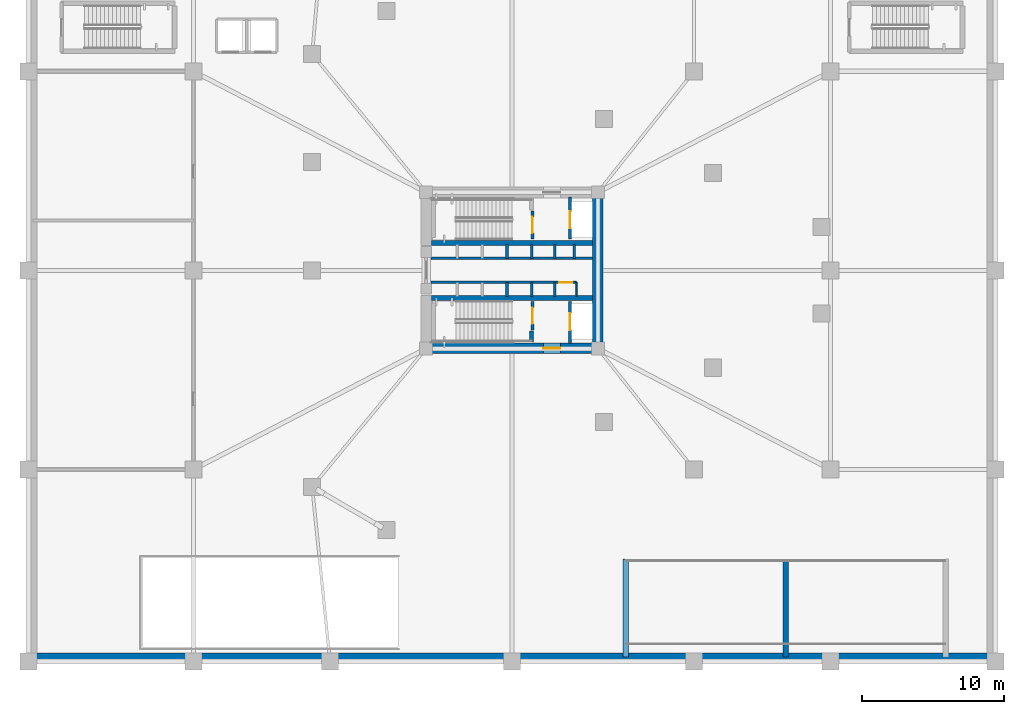
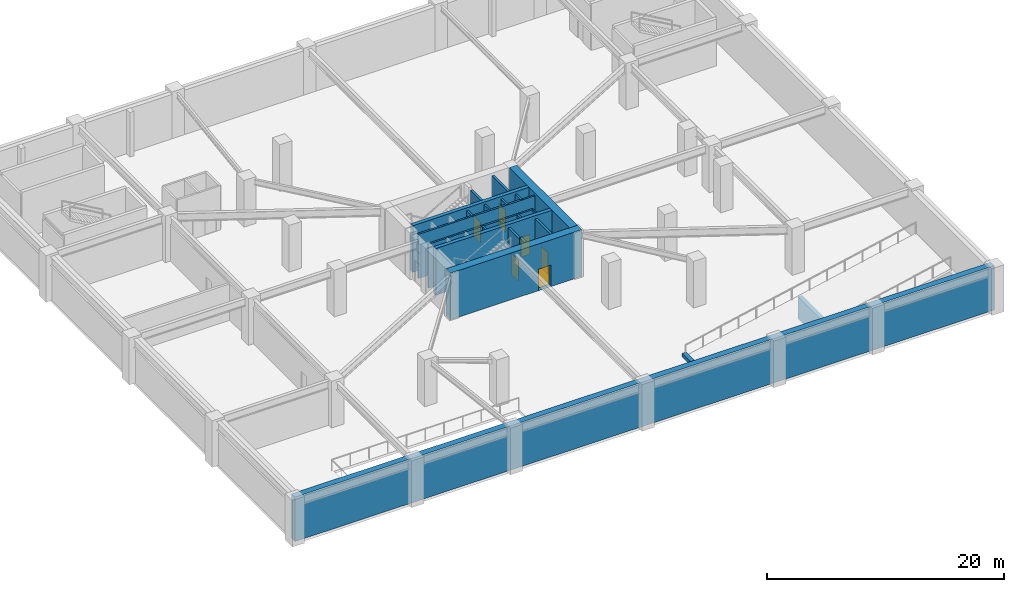
# One storey, part 4 of 13: 22 walls, 6 doors, 6 openings.
"""IFC4 building model written with IfcOpenShell, lengths in metres."""

from ifc_helpers import new_model, si_unit, direction, frame, frame_2d, origin, place, context, subcontext, project, spatial, rectangle, extrude, material, layer, layer_set, type_object, element, fill, save


model = new_model("IFC4")

# Units and contexts
model_context = context("Model", 3, precision=1e-05, world=origin(), true_north=direction((0.0, 1.0)))
body_context = subcontext(model_context, "Body", "Model", "MODEL_VIEW")
ifc_project = project(units=[si_unit("LENGTHUNIT", "METRE"), si_unit("AREAUNIT", "SQUARE_METRE"), si_unit("VOLUMEUNIT", "CUBIC_METRE"), si_unit("PLANEANGLEUNIT", "RADIAN"), si_unit("MASSUNIT", "GRAM", prefix="KILO")], contexts=[model_context])

# Site, building, storey
site_placement = place(None, origin())
site = spatial("IfcSite", under=ifc_project, at=site_placement, CompositionType="ELEMENT")
building_placement = place(site_placement, origin())
building = spatial("IfcBuilding", under=site, at=building_placement, Name="Yunling Apex Tower", CompositionType="ELEMENT")
storey_placement = place(building_placement, frame((0.0, 0.0, -4.800048828125)))
storey = spatial("IfcBuildingStorey", under=building, at=storey_placement, Name="B01", CompositionType="ELEMENT", Elevation=-4.800048828125)

# Wall
ifc_material_1 = material(Name="Concrete C50", Category="concrete")
ifc_layer_1 = layer(ifc_material_1, 0.60009765625)
ifc_layer_set_1 = layer_set([ifc_layer_1], Name="Concrete C50")
wall_type_1 = type_object("IfcWallType", Name="WL-BSM-2", PredefinedType="USERDEFINED", material=ifc_layer_set_1)
wall_1_placement = place(storey_placement, frame((-34.0, -27.199951171875, 0.0), z_axis=(0.0, 0.0, 1.0), x_axis=(1.0, 0.0, 0.0)))
element("IfcWall", 1, at=wall_1_placement, inside=storey, type_object=wall_type_1, Name="B01 South Retaining Wall", ObjectType="RETAININGWALL", PredefinedType="USERDEFINED", context=body_context, shape_type="SweptSolid", body=[
    extrude(rectangle(XDim=68.0, YDim=0.60009765625, at=frame_2d((34.0, 0.0))), origin(), (0.0, 0.0, 1.0), 4.56005859375),
])

# Wall, opening, door
ifc_material_2 = material(Name="Concrete C60", Category="concrete")
ifc_layer_2 = layer(ifc_material_2, 0.75)
ifc_layer_set_2 = layer_set([ifc_layer_2], Name="Concrete C60")
wall_type_2 = type_object("IfcWallType", Name="WL-COR-1", PredefinedType="SHEAR", material=ifc_layer_set_2)
wall_2_placement = place(storey_placement, frame((-6.39990234375, -5.47509765625, 0.0), z_axis=(0.0, 0.0, 1.0), x_axis=(1.0, 0.0, 0.0)))
wall_2 = element("IfcWall", 2, at=wall_2_placement, inside=storey, type_object=wall_type_2, Name="B01 South Core Shear Wall", PredefinedType="SHEAR", context=body_context, shape_type="SweptSolid", body=[
    extrude(rectangle(XDim=12.7998046875, YDim=0.75, at=frame_2d((6.39990234375, 0.0))), origin(), (0.0, 0.0, 1.0), 4.800048828125),
])
opening_1_placement = place(wall_2_placement, frame((8.60009765625, 0.0, 0.0)))
opening_1 = element("IfcOpeningElement", 3, at=opening_1_placement, cuts=wall_2, Name="Opening DR-FFL-1", PredefinedType="OPENING", context=body_context, shape_type="SweptSolid", body=[
    extrude(rectangle(XDim=1.199951171875, YDim=2.199951171875, at=frame_2d((0.60009765625, 1.10009765625))), frame((0.0, 0.385009765625, 0.0), z_axis=(0.0, -1.0, 0.0), x_axis=(1.0, 0.0, 0.0)), (0.0, 0.0, 1.0), 0.77001953125),
])
ifc_material_3 = material(Name="Steel Q355B", Category="steel")
door_type_1 = type_object("IfcDoorType", Name="DR-FFL-1", OperationType="NOTDEFINED", PredefinedType="DOOR", material=ifc_material_3)
door_1_placement = place(opening_1_placement, origin())
door_1 = element("IfcDoor", 4, at=door_1_placement, inside=storey, type_object=door_type_1, Name="B01 South Firefighting Lobby Door", OperationType="SINGLE_SWING_RIGHT", OverallHeight=2.199951171875, OverallWidth=1.199951171875, PredefinedType="DOOR", context=body_context, shape_type="SweptSolid", body=[
    extrude(rectangle(XDim=1.199951171875, YDim=2.199951171875, at=frame_2d((0.60009765625, 1.10009765625))), frame((0.0, 0.02490234375, 0.0), z_axis=(0.0, -1.0, 0.0), x_axis=(1.0, 0.0, 0.0)), (0.0, 0.0, 1.0), 0.050048828125),
])
fill(opening_1, door_1)

# Walls
wall_3_placement = place(storey_placement, frame((6.02490234375, -5.10009765625, 0.0), z_axis=(0.0, 0.0, 1.0), x_axis=(0.0, 1.0, 0.0)))
element("IfcWall", 5, at=wall_3_placement, inside=storey, type_object=wall_type_2, Name="B01 East Core Shear Wall", PredefinedType="SHEAR", context=body_context, shape_type="SweptSolid", body=[
    extrude(rectangle(XDim=10.2001953125, YDim=0.75, at=frame_2d((5.10009765625, 0.0))), origin(), (0.0, 0.0, 1.0), 4.800048828125),
])
ifc_material_4 = material(Name="Concrete C40", Category="concrete")
ifc_layer_3 = layer(ifc_material_4, 0.360107421875)
ifc_layer_set_3 = layer_set([ifc_layer_3], Name="Concrete C40")
wall_type_3 = type_object("IfcWallType", Name="WL-COR-4", PredefinedType="SHEAR", material=ifc_layer_set_3)
for number, where, z_axis, x_axis, name in (
    (6, (-5.64990234375, 1.93994140625, 0.0), (0.0, 0.0, 1.0), (1.0, 0.0, 0.0), "B01 North Internal Core Shear Wall"),
    (7, (-5.64990234375, -1.93994140625, 0.0), (0.0, 0.0, 1.0), (1.0, 0.0, 0.0), "B01 South Internal Core Shear Wall"),
):
    element("IfcWall", number, at=place(storey_placement, frame(where, z_axis=z_axis, x_axis=x_axis)), inside=storey, type_object=wall_type_3, Name=name, PredefinedType="SHEAR", context=body_context, shape_type="SweptSolid", body=[
        extrude(rectangle(XDim=11.2998046875, YDim=0.360107421875, at=frame_2d((5.64990234375, 0.0))), origin(), (0.0, 0.0, 1.0), 4.800048828125),
    ])
ifc_layer_4 = layer(ifc_material_1, 0.39990234375)
ifc_layer_set_4 = layer_set([ifc_layer_4], Name="Concrete C50")
wall_type_4 = type_object("IfcWallType", Name="WL-COR-5", PredefinedType="SHEAR", material=ifc_layer_set_4)
wall_4_placement = place(storey_placement, frame((8.0, -27.199951171875, 0.0), z_axis=(0.0, 0.0, 1.0), x_axis=(0.0, 1.0, 0.0)))
element("IfcWall", 8, at=wall_4_placement, inside=storey, type_object=wall_type_4, Name="B01 Vehicle Ramp Bearing Wall LO", PredefinedType="SHEAR", context=body_context, shape_type="SweptSolid", body=[
    extrude(rectangle(XDim=6.89990234375, YDim=0.39990234375, at=frame_2d((3.449951171875, 0.0))), origin(), (0.0, 0.0, 1.0), 0.35009765625),
])
wall_5_placement = place(storey_placement, frame((19.25, -27.199951171875, 0.0), z_axis=(0.0, 0.0, 1.0), x_axis=(0.0, 1.0, 0.0)))
element("IfcWall", 9, at=wall_5_placement, inside=storey, type_object=wall_type_4, Name="B01 Vehicle Ramp Bearing Wall MID", PredefinedType="SHEAR", context=body_context, shape_type="SweptSolid", body=[
    extrude(rectangle(XDim=6.89990234375, YDim=0.39990234375, at=frame_2d((3.449951171875, 0.0))), origin(), (0.0, 0.0, 1.0), 2.25),
])
ifc_layer_5 = layer(ifc_material_4, 0.280029296875)
ifc_layer_set_5 = layer_set([ifc_layer_5], Name="Concrete C40")
wall_type_5 = type_object("IfcWallType", Name="WL-COR-8", PredefinedType="SHEAR", material=ifc_layer_set_5)
wall_6_placement = place(storey_placement, frame((1.3798828125, -5.050048828125, 0.0), z_axis=(0.0, 0.0, 1.0), x_axis=(0.0, 1.0, 0.0)))
element("IfcWall", 10, at=wall_6_placement, inside=storey, type_object=wall_type_5, Name="B01 ST-2 East Landing Bearing Pier", PredefinedType="SHEAR", context=body_context, shape_type="SweptSolid", body=[
    extrude(rectangle(XDim=0.800048828125, YDim=0.280029296875, at=frame_2d((0.39990234375, 0.0))), origin(), (0.0, 0.0, 1.0), 4.800048828125),
])
ifc_material_5 = material(Name="Gypsum board acoustic partition")
ifc_layer_6 = layer(ifc_material_5, 0.10009765625)
ifc_layer_set_6 = layer_set([ifc_layer_6], Name="Gypsum board acoustic partition")
wall_type_6 = type_object("IfcWallType", Name="WL-PRT-4", PredefinedType="PARTITIONING", material=ifc_layer_set_6)
wall_7_placement = place(storey_placement, frame((4.5400390625, -1.820068359375, 0.0), z_axis=(0.0, 0.0, 1.0), x_axis=(0.0, 1.0, 0.0)))
element("IfcWall", 11, at=wall_7_placement, inside=storey, type_object=wall_type_6, Name="WL-KASE-E-B01", PredefinedType="PARTITIONING", context=body_context, shape_type="SweptSolid", body=[
    extrude(rectangle(XDim=0.97998046875, YDim=0.10009765625, at=frame_2d((0.489990234375, 0.0))), origin(), (0.0, 0.0, 1.0), 4.5400390625),
])

# Wall, opening, door
ifc_material_6 = material(Name="Autoclaved aerated concrete masonry", Category="masonry")
ifc_layer_7 = layer(ifc_material_6, 0.219970703125)
ifc_layer_set_7 = layer_set([ifc_layer_7], Name="Autoclaved aerated concrete masonry")
wall_type_7 = type_object("IfcWallType", Name="WL-SHF-1", PredefinedType="PLUMBINGWALL", material=ifc_layer_set_7)
wall_8_placement = place(storey_placement, frame((1.449951171875, 2.199951171875, 0.0), z_axis=(0.0, 0.0, 1.0), x_axis=(0.0, 1.0, 0.0)))
wall_8 = element("IfcWall", 12, at=wall_8_placement, inside=storey, type_object=wall_type_7, Name="WL-ST1-E-B01", PredefinedType="PLUMBINGWALL", context=body_context, shape_type="SweptSolid", body=[
    extrude(rectangle(XDim=1.97998046875, YDim=0.219970703125, at=frame_2d((0.989990234375, 0.0))), origin(), (0.0, 0.0, 1.0), 4.5400390625),
])
opening_2_placement = place(wall_8_placement, frame((0.419921875, 0.0, 0.0)))
opening_2 = element("IfcOpeningElement", 13, at=opening_2_placement, cuts=wall_8, Name="Opening DR-ST-1", PredefinedType="OPENING", context=body_context, shape_type="SweptSolid", body=[
    extrude(rectangle(XDim=1.14990234375, YDim=2.14990234375, at=frame_2d((0.574951171875, 1.074951171875))), frame((0.0, 0.1201171875, 0.0), z_axis=(0.0, -1.0, 0.0), x_axis=(1.0, 0.0, 0.0)), (0.0, 0.0, 1.0), 0.239990234375),
])
door_type_2 = type_object("IfcDoorType", Name="DR-ST-1", OperationType="NOTDEFINED", PredefinedType="DOOR", material=ifc_material_3)
door_2_placement = place(opening_2_placement, origin())
door_2 = element("IfcDoor", 14, at=door_2_placement, inside=storey, type_object=door_type_2, Name="B01 Stair ST-1 Fire Door", OperationType="SINGLE_SWING_LEFT", OverallHeight=2.14990234375, OverallWidth=1.14990234375, PredefinedType="DOOR", context=body_context, shape_type="SweptSolid", body=[
    extrude(rectangle(XDim=1.14990234375, YDim=2.14990234375, at=frame_2d((0.574951171875, 1.074951171875))), frame((0.0, 0.02490234375, 0.0), z_axis=(0.0, -1.0, 0.0), x_axis=(1.0, 0.0, 0.0)), (0.0, 0.0, 1.0), 0.050048828125),
])
fill(opening_2, door_2)

wall_9_placement = place(storey_placement, frame((4.080078125, 2.199951171875, 0.0), z_axis=(0.0, 0.0, 1.0), x_axis=(0.0, 1.0, 0.0)))
wall_9 = element("IfcWall", 15, at=wall_9_placement, inside=storey, type_object=wall_type_7, Name="WL-FFL1-W-B01", PredefinedType="PLUMBINGWALL", context=body_context, shape_type="SweptSolid", body=[
    extrude(rectangle(XDim=2.949951171875, YDim=0.219970703125, at=frame_2d((1.47509765625, 0.0))), origin(), (0.0, 0.0, 1.0), 4.5400390625),
])
opening_3_placement = place(wall_9_placement, frame((0.75, 0.0, 0.0)))
opening_3 = element("IfcOpeningElement", 16, at=opening_3_placement, cuts=wall_9, Name="Opening LD-FFL-1", PredefinedType="OPENING", context=body_context, shape_type="SweptSolid", body=[
    extrude(rectangle(XDim=1.199951171875, YDim=2.25, at=frame_2d((0.60009765625, 1.125))), frame((0.0, 0.1201171875, 0.0), z_axis=(0.0, -1.0, 0.0), x_axis=(1.0, 0.0, 0.0)), (0.0, 0.0, 1.0), 0.239990234375),
])
door_type_3 = type_object("IfcDoorType", Name="LD-FFL-1", OperationType="DOUBLE_DOOR_SLIDING", PredefinedType="DOOR", material=ifc_material_3)
door_3_placement = place(opening_3_placement, origin())
door_3 = element("IfcDoor", 17, at=door_3_placement, inside=storey, type_object=door_type_3, Name="B01 Lift FFL-1 Landing Door", OperationType="DOUBLE_DOOR_SLIDING", OverallHeight=2.25, OverallWidth=1.199951171875, PredefinedType="DOOR", context=body_context, shape_type="SweptSolid", body=[
    extrude(rectangle(XDim=1.199951171875, YDim=2.25, at=frame_2d((0.60009765625, 1.125))), frame((0.0, 0.02490234375, 0.0), z_axis=(0.0, -1.0, 0.0), x_axis=(1.0, 0.0, 0.0)), (0.0, 0.0, 1.0), 0.050048828125),
])
fill(opening_3, door_3)

wall_10_placement = place(storey_placement, frame((1.449951171875, -4.179931640625, 0.0), z_axis=(0.0, 0.0, 1.0), x_axis=(0.0, 1.0, 0.0)))
wall_10 = element("IfcWall", 18, at=wall_10_placement, inside=storey, type_object=wall_type_7, Name="WL-ST2-E-B01", PredefinedType="PLUMBINGWALL", context=body_context, shape_type="SweptSolid", body=[
    extrude(rectangle(XDim=1.97998046875, YDim=0.219970703125, at=frame_2d((0.989990234375, 0.0))), origin(), (0.0, 0.0, 1.0), 4.5400390625),
])
opening_4_placement = place(wall_10_placement, frame((0.419921875, 0.0, 0.0)))
opening_4 = element("IfcOpeningElement", 19, at=opening_4_placement, cuts=wall_10, Name="Opening DR-ST-1", PredefinedType="OPENING", context=body_context, shape_type="SweptSolid", body=[
    extrude(rectangle(XDim=1.14990234375, YDim=2.14990234375, at=frame_2d((0.574951171875, 1.074951171875))), frame((0.0, 0.1201171875, 0.0), z_axis=(0.0, -1.0, 0.0), x_axis=(1.0, 0.0, 0.0)), (0.0, 0.0, 1.0), 0.239990234375),
])
door_4_placement = place(opening_4_placement, origin())
door_4 = element("IfcDoor", 20, at=door_4_placement, inside=storey, type_object=door_type_2, Name="B01 Stair ST-2 Fire Door", OperationType="SINGLE_SWING_RIGHT", OverallHeight=2.14990234375, OverallWidth=1.14990234375, PredefinedType="DOOR", context=body_context, shape_type="SweptSolid", body=[
    extrude(rectangle(XDim=1.14990234375, YDim=2.14990234375, at=frame_2d((0.574951171875, 1.074951171875))), frame((0.0, 0.02490234375, 0.0), z_axis=(0.0, -1.0, 0.0), x_axis=(1.0, 0.0, 0.0)), (0.0, 0.0, 1.0), 0.050048828125),
])
fill(opening_4, door_4)

wall_11_placement = place(storey_placement, frame((4.080078125, -5.14990234375, 0.0), z_axis=(0.0, 0.0, 1.0), x_axis=(0.0, 1.0, 0.0)))
wall_11 = element("IfcWall", 21, at=wall_11_placement, inside=storey, type_object=wall_type_7, Name="WL-FFL2-W-B01", PredefinedType="PLUMBINGWALL", context=body_context, shape_type="SweptSolid", body=[
    extrude(rectangle(XDim=2.949951171875, YDim=0.219970703125, at=frame_2d((1.47509765625, 0.0))), origin(), (0.0, 0.0, 1.0), 4.5400390625),
])
opening_5_placement = place(wall_11_placement, frame((0.949951171875, 0.0, 0.0)))
opening_5 = element("IfcOpeningElement", 22, at=opening_5_placement, cuts=wall_11, Name="Opening LD-FFL-1", PredefinedType="OPENING", context=body_context, shape_type="SweptSolid", body=[
    extrude(rectangle(XDim=1.199951171875, YDim=2.25, at=frame_2d((0.60009765625, 1.125))), frame((0.0, 0.1201171875, 0.0), z_axis=(0.0, -1.0, 0.0), x_axis=(1.0, 0.0, 0.0)), (0.0, 0.0, 1.0), 0.239990234375),
])
door_5_placement = place(opening_5_placement, origin())
door_5 = element("IfcDoor", 23, at=door_5_placement, inside=storey, type_object=door_type_3, Name="B01 Lift FFL-2 Landing Door", OperationType="DOUBLE_DOOR_SLIDING", OverallHeight=2.25, OverallWidth=1.199951171875, PredefinedType="DOOR", context=body_context, shape_type="SweptSolid", body=[
    extrude(rectangle(XDim=1.199951171875, YDim=2.25, at=frame_2d((0.60009765625, 1.125))), frame((0.0, 0.02490234375, 0.0), z_axis=(0.0, -1.0, 0.0), x_axis=(1.0, 0.0, 0.0)), (0.0, 0.0, 1.0), 0.050048828125),
])
fill(opening_5, door_5)

# Walls
ifc_layer_8 = layer(ifc_material_6, 0.179931640625)
ifc_layer_set_8 = layer_set([ifc_layer_8], Name="Autoclaved aerated concrete masonry")
wall_type_8 = type_object("IfcWallType", Name="WL-SHF-2", PredefinedType="PLUMBINGWALL", material=ifc_layer_set_8)
for number, where, z_axis, x_axis, name in (
    (24, (-0.35009765625, 0.840087890625, 0.0), (0.0, 0.0, 1.0), (0.0, 1.0, 0.0), "WL-DIV-M12-B01"),
    (25, (-0.35009765625, -1.820068359375, 0.0), (0.0, 0.0, 1.0), (0.0, 1.0, 0.0), "WL-DIV-M34-B01"),
    (26, (1.3798828125, 0.840087890625, 0.0), (0.0, 0.0, 1.0), (0.0, 1.0, 0.0), "WL-BNK-MH-N-B01"),
    (27, (1.3798828125, -1.820068359375, 0.0), (0.0, 0.0, 1.0), (0.0, 1.0, 0.0), "WL-BNK-MH-S-B01"),
    (28, (3.02001953125, 0.840087890625, 0.0), (0.0, 0.0, 1.0), (0.0, 1.0, 0.0), "WL-DIV-H13-B01"),
    (29, (4.3798828125, 0.840087890625, 0.0), (0.0, 0.0, 1.0), (0.0, 1.0, 0.0), "WL-END-H3E-B01"),
    (30, (3.02001953125, -1.820068359375, 0.0), (0.0, 0.0, 1.0), (0.0, 1.0, 0.0), "WL-END-H2E-B01"),
):
    element("IfcWall", number, at=place(storey_placement, frame(where, z_axis=z_axis, x_axis=x_axis)), inside=storey, type_object=wall_type_8, Name=name, PredefinedType="PLUMBINGWALL", context=body_context, shape_type="SweptSolid", body=[
        extrude(rectangle(XDim=0.97998046875, YDim=0.179931640625, at=frame_2d((0.489990234375, 0.0))), origin(), (0.0, 0.0, 1.0), 4.5400390625),
    ])
wall_12_placement = place(storey_placement, frame((-5.679931640625, 0.840087890625, 0.0), z_axis=(0.0, 0.0, 1.0), x_axis=(1.0, 0.0, 0.0)))
element("IfcWall", 31, at=wall_12_placement, inside=storey, type_object=wall_type_8, Name="WL-LOB-N-B01", PredefinedType="PLUMBINGWALL", context=body_context, shape_type="SweptSolid", body=[
    extrude(rectangle(XDim=11.329833984375, YDim=0.179931640625, at=frame_2d((5.6650390625, 0.0))), origin(), (0.0, 0.0, 1.0), 4.5400390625),
])

# Wall, opening, door
wall_13_placement = place(storey_placement, frame((-5.679931640625, -0.840087890625, 0.0), z_axis=(0.0, 0.0, 1.0), x_axis=(1.0, 0.0, 0.0)))
wall_13 = element("IfcWall", 32, at=wall_13_placement, inside=storey, type_object=wall_type_8, Name="WL-LOB-S-B01", PredefinedType="PLUMBINGWALL", context=body_context, shape_type="SweptSolid", body=[
    extrude(rectangle(XDim=10.219970703125, YDim=0.179931640625, at=frame_2d((5.10986328125, 0.0))), origin(), (0.0, 0.0, 1.0), 4.5400390625),
])
opening_6_placement = place(wall_13_placement, frame((9.02001953125, 0.0, 0.0)))
opening_6 = element("IfcOpeningElement", 33, at=opening_6_placement, cuts=wall_13, Name="Opening DR-SHF-1", PredefinedType="OPENING", context=body_context, shape_type="SweptSolid", body=[
    extrude(rectangle(XDim=0.89990234375, YDim=2.050048828125, at=frame_2d((0.449951171875, 1.02490234375))), frame((0.0, 0.10009765625, 0.0), z_axis=(0.0, -1.0, 0.0), x_axis=(1.0, 0.0, 0.0)), (0.0, 0.0, 1.0), 0.199951171875),
])
door_type_4 = type_object("IfcDoorType", Name="DR-SHF-1", OperationType="NOTDEFINED", PredefinedType="DOOR", material=ifc_material_3)
door_6_placement = place(opening_6_placement, origin())
door_6 = element("IfcDoor", 34, at=door_6_placement, inside=storey, type_object=door_type_4, Name="B01 Core Electrical Room Door", OperationType="SINGLE_SWING_LEFT", OverallHeight=2.050048828125, OverallWidth=0.89990234375, PredefinedType="DOOR", context=body_context, shape_type="SweptSolid", body=[
    extrude(rectangle(XDim=0.89990234375, YDim=2.050048828125, at=frame_2d((0.449951171875, 1.02490234375))), frame((0.0, 0.02490234375, 0.0), z_axis=(0.0, -1.0, 0.0), x_axis=(1.0, 0.0, 0.0)), (0.0, 0.0, 1.0), 0.050048828125),
])
fill(opening_6, door_6)

save(model, "model.ifc")
